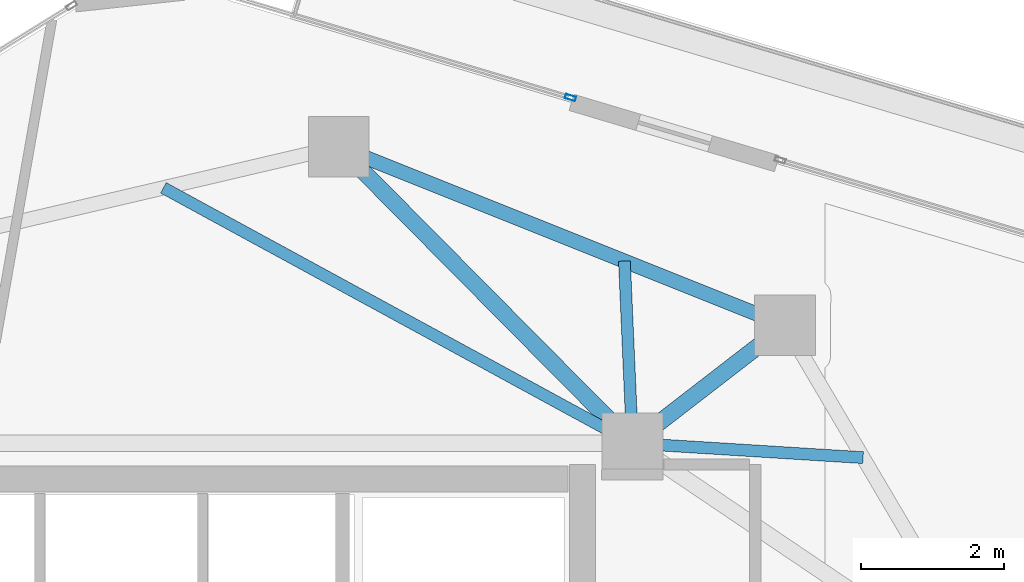
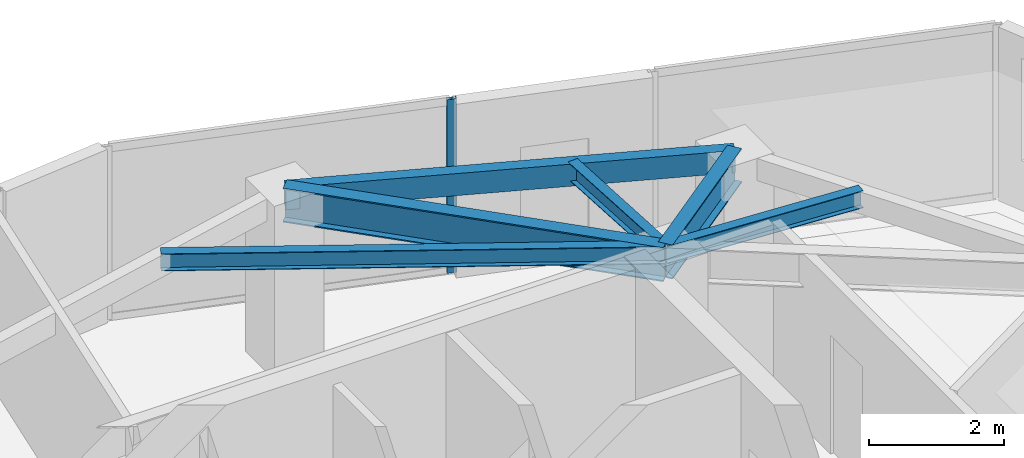
# One storey, part 13 of 20: 6 beams, 1 member, 1 element without a shape of its own.
"""IFC4 building model written with IfcOpenShell, lengths in metres."""

from ifc_helpers import new_model, si_unit, direction, frame, origin, origin_2d, place, context, subcontext, project, spatial, hollow_rectangle, i_section, extrude, source, transform, mapped, material, layer, layer_set, material_profile, profile_set, type_object, type_shapes, element, aggregate, save


model = new_model("IFC4")

# Units and contexts
model_context = context("Model", 3, precision=1e-05, world=origin(), true_north=direction((0.0, 1.0)))
body_context = subcontext(model_context, "Body", "Model", "MODEL_VIEW")
ifc_project = project(units=[si_unit("LENGTHUNIT", "METRE"), si_unit("AREAUNIT", "SQUARE_METRE"), si_unit("VOLUMEUNIT", "CUBIC_METRE"), si_unit("PLANEANGLEUNIT", "RADIAN"), si_unit("MASSUNIT", "GRAM", prefix="KILO")], contexts=[model_context])

# Site, building, storey
site_placement = place(None, origin())
site = spatial("IfcSite", under=ifc_project, at=site_placement, CompositionType="ELEMENT")
building_placement = place(site_placement, origin())
building = spatial("IfcBuilding", under=site, at=building_placement, Name="Talar Marvaseh", CompositionType="ELEMENT")
storey_placement = place(building_placement, frame((0.0, 0.0, 251.0)))
storey = spatial("IfcBuildingStorey", under=building, at=storey_placement, Name="L66", CompositionType="ELEMENT", Elevation=251.0)

# Beams
ifc_material_1 = material(Name="Steel S355", Category="steel")
ifc_material_profile_1 = material_profile(ifc_material_1, hollow_rectangle(XDim=0.199951171875, YDim=0.39990234375, WallThickness=0.013916015625, at=origin_2d()), Name="RHS400x200x14")
ifc_profile_set_1 = profile_set([ifc_material_profile_1], Name="Steel S355")
beam_type_1 = type_object("IfcBeamType", Name="Zone 3 Perimeter Spandrel Beam RHS400x200x14", PredefinedType="SPANDREL", material=ifc_profile_set_1)
beam_1_placement = place(storey_placement, frame((29.18798828125, 41.052001953125, 2.93994140625), z_axis=(0.928426659475, -0.371515730456, 0.0), x_axis=(0.371515730456, 0.928426659475, 0.0)))
element("IfcBeam", 1, at=beam_1_placement, inside=storey, type_object=beam_type_1, Name="L66 Zone 3 Perimeter Spandrel Beam RHS400x200x14", PredefinedType="SPANDREL", context=body_context, shape_type="SweptSolid", body=[
    extrude(hollow_rectangle(XDim=0.199951171875, YDim=0.39990234375, WallThickness=0.013916015625, at=origin_2d()), origin(), (0.0, 0.0, 1.0), 6.73193359375),
])
ifc_material_profile_2 = material_profile(ifc_material_1, i_section(OverallWidth=0.166015625, OverallDepth=0.31298828125, WebThickness=0.006591796875, FlangeThickness=0.01123046875, at=origin_2d()), Name="W310x45")
ifc_profile_set_2 = profile_set([ifc_material_profile_2], Name="Steel S355")
beam_type_2 = type_object("IfcBeamType", Name="Zone 3 Secondary Floor Joist W310x45", PredefinedType="JOIST", material=ifc_profile_set_2)
beam_2_placement = place(storey_placement, frame((26.731689453125, 40.476806640625, 2.9833984375), z_axis=(0.878223458764, -0.478250516442, 0.0), x_axis=(0.478250516442, 0.878223458764, 0.0)))
element("IfcBeam", 2, at=beam_2_placement, inside=storey, type_object=beam_type_2, Name="L66 Zone 3 Secondary Floor Joist W310x45", PredefinedType="JOIST", context=body_context, shape_type="SweptSolid", body=[
    extrude(i_section(OverallWidth=0.166015625, OverallDepth=0.31298828125, WebThickness=0.006591796875, FlangeThickness=0.01123046875, at=origin_2d()), origin(), (0.0, 0.0, 1.0), 7.479248046875),
])
beam_3_placement = place(storey_placement, frame((33.18798828125, 39.451416015625, 2.9833984375), z_axis=(0.043876945448, -0.99903694309, 0.0), x_axis=(0.99903694309, 0.043876945448, 0.0)))
element("IfcBeam", 3, at=beam_3_placement, inside=storey, type_object=beam_type_2, Name="L66 Zone 3 Secondary Floor Joist W310x45", PredefinedType="JOIST", context=body_context, shape_type="SweptSolid", body=[
    extrude(i_section(OverallWidth=0.166015625, OverallDepth=0.31298828125, WebThickness=0.006591796875, FlangeThickness=0.01123046875, at=origin_2d()), origin(), (0.0, 0.0, 1.0), 2.553955078125),
])
beam_4_placement = place(storey_placement, frame((36.52978515625, 36.69873046875, 2.9833984375), z_axis=(-0.998065766367, 0.062166920515, 0.0), x_axis=(-0.062166920515, -0.998065766367, 0.0)))
element("IfcBeam", 4, at=beam_4_placement, inside=storey, type_object=beam_type_2, Name="L66 Zone 3 Secondary Floor Joist W310x45", PredefinedType="JOIST", context=body_context, shape_type="SweptSolid", body=[
    extrude(i_section(OverallWidth=0.166015625, OverallDepth=0.31298828125, WebThickness=0.006591796875, FlangeThickness=0.01123046875, at=origin_2d()), origin(), (0.0, 0.0, 1.0), 3.236083984375),
])
ifc_material_profile_3 = material_profile(ifc_material_1, i_section(OverallWidth=0.22998046875, OverallDepth=0.616943359375, WebThickness=0.01318359375, FlangeThickness=0.022216796875, at=origin_2d()), Name="W610x140")
ifc_profile_set_3 = profile_set([ifc_material_profile_3], Name="Steel S355")
beam_type_3 = type_object("IfcBeamType", Name="Zone 4 Radial Floor Girder W610x140", PredefinedType="BEAM", material=ifc_profile_set_3)
beam_5_placement = place(storey_placement, frame((29.18798828125, 41.052001953125, 2.83154296875), z_axis=(0.703672658083, -0.710524306598, 0.0), x_axis=(0.710524306598, 0.703672658083, 0.0)))
element("IfcBeam", 5, at=beam_5_placement, inside=storey, type_object=beam_type_3, Name="L66 Zone 4 Radial Floor Girder W610x140", PredefinedType="BEAM", context=body_context, shape_type="SweptSolid", body=[
    extrude(i_section(OverallWidth=0.22998046875, OverallDepth=0.616943359375, WebThickness=0.01318359375, FlangeThickness=0.022216796875, at=origin_2d()), origin(), (0.0, 0.0, 1.0), 5.84375),
])
beam_6_placement = place(storey_placement, frame((35.43798828125, 38.551025390625, 2.83154296875), z_axis=(-0.791449946636, -0.611233982996, 0.0), x_axis=(0.611233982996, -0.791449946636, 0.0)))
element("IfcBeam", 6, at=beam_6_placement, inside=storey, type_object=beam_type_3, Name="L66 Zone 4 Radial Floor Girder W610x140", PredefinedType="BEAM", context=body_context, shape_type="SweptSolid", body=[
    extrude(i_section(OverallWidth=0.22998046875, OverallDepth=0.616943359375, WebThickness=0.01318359375, FlangeThickness=0.022216796875, at=origin_2d()), origin(), (0.0, 0.0, 1.0), 2.701416015625),
])

# Curtain wall, member
ifc_material_2 = material(Name="Architectural Aluminium", Category="aluminium")
ifc_layer = layer(ifc_material_2, 0.179931640625)
ifc_layer_set = layer_set([ifc_layer], Name="Architectural Aluminium")
curtain_wall_type = type_object("IfcCurtainWallType", Name="Unitised High-Wind Sky Curtain Wall Z4", PredefinedType="NOTDEFINED", material=ifc_layer_set)
curtain_wall_placement = place(storey_placement, origin())
curtain_wall = element("IfcCurtainWall", 7, at=curtain_wall_placement, inside=storey, type_object=curtain_wall_type, Name="L66 Unitised High-Wind Sky Curtain Wall Z4", PredefinedType="NOTDEFINED")
ifc_material_profile_4 = material_profile(ifc_material_2, hollow_rectangle(XDim=0.06494140625, YDim=0.14990234375, WallThickness=0.00390625, at=origin_2d()), Name="RHS150x65x4")
ifc_profile_set_4 = profile_set([ifc_material_profile_4], Name="Architectural Aluminium")
member_type = type_object("IfcMemberType", Name="Unitised Curtain Wall Slim Mullion RHS150x65x4", PredefinedType="MULLION", material=ifc_profile_set_4)
shared_shape = source(origin(), body_context, "Body", "SweptSolid", [
    extrude(hollow_rectangle(XDim=0.06494140625, YDim=0.14990234375, WallThickness=0.00390625, at=origin_2d()), origin(), (0.0, 0.0, 1.0), 3.139892578125),
])
type_shapes(member_type, [shared_shape])
member_placement = place(storey_placement, frame((32.4326171875, 41.73974609375, 0.0), z_axis=(0.0, 0.0, 1.0), x_axis=(0.285622118907, 0.958342321507, 0.0)))
member = element("IfcMember", 8, at=member_placement, type_object=member_type, Name="CW-Z4 mullion 2", PredefinedType="MULLION", context=body_context, shape_type="MappedRepresentation", body=[
    mapped(shared_shape, transform((0.0, 0.0, 0.0), x_axis=(1.0, 0.0, 0.0), y_axis=(0.0, 1.0, 0.0), z_axis=(0.0, 0.0, 1.0), scale=1.0)),
])
aggregate(curtain_wall, [member])

save(model, "model.ifc")
